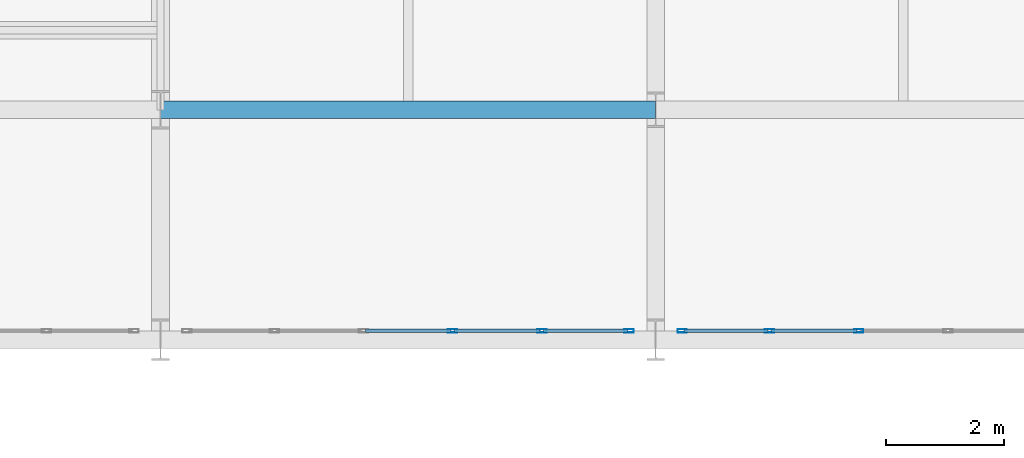
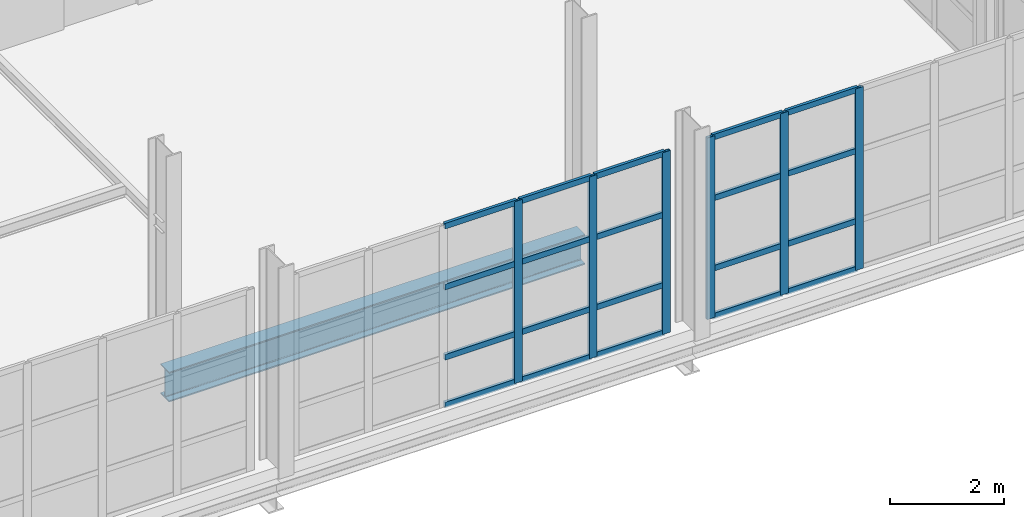
# One storey, part 14 of 130: 26 members, 1 beam, 2 elements without a shape of their own.
"""IFC4 building model written with IfcOpenShell, lengths in metres."""

from ifc_helpers import new_model, si_unit, direction, frame, origin, origin_2d, place, context, subcontext, project, spatial, hollow_rectangle, i_section, extrude, material, material_profile, profile_set, type_object, element, aggregate, save


model = new_model("IFC4")

# Units and contexts
model_context = context("Model", 3, precision=1e-05, world=origin(), true_north=direction((0.0, 1.0)))
body_context = subcontext(model_context, "Body", "Model", "MODEL_VIEW")
ifc_project = project(units=[si_unit("LENGTHUNIT", "METRE"), si_unit("AREAUNIT", "SQUARE_METRE"), si_unit("VOLUMEUNIT", "CUBIC_METRE"), si_unit("PLANEANGLEUNIT", "RADIAN"), si_unit("MASSUNIT", "GRAM", prefix="KILO")], contexts=[model_context])

# Site, building, storey
site_placement = place(None, origin())
site = spatial("IfcSite", under=ifc_project, at=site_placement, CompositionType="ELEMENT")
building_placement = place(site_placement, origin())
building = spatial("IfcBuilding", under=site, at=building_placement, Name="Veltarok Museum of Natural Sciences", CompositionType="ELEMENT")
storey_placement = place(building_placement, frame((0.0, 0.0, 12.89990234375)))
storey = spatial("IfcBuildingStorey", under=building, at=storey_placement, Name="L02", CompositionType="ELEMENT", Elevation=12.89990234375)

# Curtain wall, members
ifc_material_1 = material(Name="Low-iron triple insulated glass", Category="glass")
curtain_wall_type_1 = type_object("IfcCurtainWallType", Name="Curtain Wall System CW-BRG-S-L02-2-756x388 (Bridge South Cantilever L02 2-3 756x388cm)", PredefinedType="NOTDEFINED", material=ifc_material_1)
curtain_wall_1_placement = place(storey_placement, origin())
curtain_wall_1 = element("IfcCurtainWall", 1, at=curtain_wall_1_placement, inside=storey, type_object=curtain_wall_type_1, Name="Curtain Wall CW-BRG-S-L02-2-756x388 CW-0028", PredefinedType="NOTDEFINED")
ifc_material_2 = material(Name="Thermally broken anodised aluminium", Category="aluminium")
ifc_material_profile_1 = material_profile(ifc_material_2, hollow_rectangle(XDim=0.06005859375, YDim=0.1201171875, WallThickness=0.0048828125, at=origin_2d()), Name="CW TRANSOM 60x120x5")
ifc_profile_set_1 = profile_set([ifc_material_profile_1], Name="Thermally broken anodised aluminium")
member_type_1 = type_object("IfcMemberType", Name="Curtain Wall Horizontal Transom 60x120x5", PredefinedType="USERDEFINED", material=ifc_profile_set_1)
member_1_placement = place(storey_placement, frame((18.27392578125, 5.85009765625, 0.030029296875), z_axis=(1.0, 0.0, 0.0), x_axis=(0.0, 1.0, 0.0)))
member_1 = element("IfcMember", 2, at=member_1_placement, type_object=member_type_1, Name="CW-BRG-S-L02-2-756x388 transom 3.1", ObjectType="TRANSOM", PredefinedType="USERDEFINED", context=body_context, shape_type="SweptSolid", body=[
    extrude(hollow_rectangle(XDim=0.06005859375, YDim=0.1201171875, WallThickness=0.0048828125, at=origin_2d()), origin(), (0.0, 0.0, 1.0), 1.4521484375),
])
member_2_placement = place(storey_placement, frame((18.27392578125, 5.85009765625, 1.050048828125), z_axis=(1.0, 0.0, 0.0), x_axis=(0.0, 1.0, 0.0)))
member_2 = element("IfcMember", 3, at=member_2_placement, type_object=member_type_1, Name="CW-BRG-S-L02-2-756x388 transom 3.2", ObjectType="TRANSOM", PredefinedType="USERDEFINED", context=body_context, shape_type="SweptSolid", body=[
    extrude(hollow_rectangle(XDim=0.06005859375, YDim=0.1201171875, WallThickness=0.0048828125, at=origin_2d()), origin(), (0.0, 0.0, 1.0), 1.4521484375),
])
member_3_placement = place(storey_placement, frame((18.27392578125, 5.85009765625, 2.550048828125), z_axis=(1.0, 0.0, 0.0), x_axis=(0.0, 1.0, 0.0)))
member_3 = element("IfcMember", 4, at=member_3_placement, type_object=member_type_1, Name="CW-BRG-S-L02-2-756x388 transom 3.3", ObjectType="TRANSOM", PredefinedType="USERDEFINED", context=body_context, shape_type="SweptSolid", body=[
    extrude(hollow_rectangle(XDim=0.06005859375, YDim=0.1201171875, WallThickness=0.0048828125, at=origin_2d()), origin(), (0.0, 0.0, 1.0), 1.4521484375),
])
member_4_placement = place(storey_placement, frame((18.27392578125, 5.85009765625, 3.85009765625), z_axis=(1.0, 0.0, 0.0), x_axis=(0.0, 1.0, 0.0)))
member_4 = element("IfcMember", 5, at=member_4_placement, type_object=member_type_1, Name="CW-BRG-S-L02-2-756x388 transom 3.4", ObjectType="TRANSOM", PredefinedType="USERDEFINED", context=body_context, shape_type="SweptSolid", body=[
    extrude(hollow_rectangle(XDim=0.06005859375, YDim=0.1201171875, WallThickness=0.0048828125, at=origin_2d()), origin(), (0.0, 0.0, 1.0), 1.4521484375),
])
member_5_placement = place(storey_placement, frame((19.785888671875, 5.85009765625, 0.030029296875), z_axis=(1.0, 0.0, 0.0), x_axis=(0.0, 1.0, 0.0)))
member_5 = element("IfcMember", 6, at=member_5_placement, type_object=member_type_1, Name="CW-BRG-S-L02-2-756x388 transom 4.1", ObjectType="TRANSOM", PredefinedType="USERDEFINED", context=body_context, shape_type="SweptSolid", body=[
    extrude(hollow_rectangle(XDim=0.06005859375, YDim=0.1201171875, WallThickness=0.0048828125, at=origin_2d()), origin(), (0.0, 0.0, 1.0), 1.4521484375),
])
member_6_placement = place(storey_placement, frame((19.785888671875, 5.85009765625, 1.050048828125), z_axis=(1.0, 0.0, 0.0), x_axis=(0.0, 1.0, 0.0)))
member_6 = element("IfcMember", 7, at=member_6_placement, type_object=member_type_1, Name="CW-BRG-S-L02-2-756x388 transom 4.2", ObjectType="TRANSOM", PredefinedType="USERDEFINED", context=body_context, shape_type="SweptSolid", body=[
    extrude(hollow_rectangle(XDim=0.06005859375, YDim=0.1201171875, WallThickness=0.0048828125, at=origin_2d()), origin(), (0.0, 0.0, 1.0), 1.4521484375),
])
member_7_placement = place(storey_placement, frame((19.785888671875, 5.85009765625, 2.550048828125), z_axis=(1.0, 0.0, 0.0), x_axis=(0.0, 1.0, 0.0)))
member_7 = element("IfcMember", 8, at=member_7_placement, type_object=member_type_1, Name="CW-BRG-S-L02-2-756x388 transom 4.3", ObjectType="TRANSOM", PredefinedType="USERDEFINED", context=body_context, shape_type="SweptSolid", body=[
    extrude(hollow_rectangle(XDim=0.06005859375, YDim=0.1201171875, WallThickness=0.0048828125, at=origin_2d()), origin(), (0.0, 0.0, 1.0), 1.4521484375),
])
member_8_placement = place(storey_placement, frame((19.785888671875, 5.85009765625, 3.85009765625), z_axis=(1.0, 0.0, 0.0), x_axis=(0.0, 1.0, 0.0)))
member_8 = element("IfcMember", 9, at=member_8_placement, type_object=member_type_1, Name="CW-BRG-S-L02-2-756x388 transom 4.4", ObjectType="TRANSOM", PredefinedType="USERDEFINED", context=body_context, shape_type="SweptSolid", body=[
    extrude(hollow_rectangle(XDim=0.06005859375, YDim=0.1201171875, WallThickness=0.0048828125, at=origin_2d()), origin(), (0.0, 0.0, 1.0), 1.4521484375),
])
member_9_placement = place(storey_placement, frame((21.298095703125, 5.85009765625, 0.030029296875), z_axis=(1.0, 0.0, 0.0), x_axis=(0.0, 1.0, 0.0)))
member_9 = element("IfcMember", 10, at=member_9_placement, type_object=member_type_1, Name="CW-BRG-S-L02-2-756x388 transom 5.1", ObjectType="TRANSOM", PredefinedType="USERDEFINED", context=body_context, shape_type="SweptSolid", body=[
    extrude(hollow_rectangle(XDim=0.06005859375, YDim=0.1201171875, WallThickness=0.0048828125, at=origin_2d()), origin(), (0.0, 0.0, 1.0), 1.421875),
])
member_10_placement = place(storey_placement, frame((21.298095703125, 5.85009765625, 1.050048828125), z_axis=(1.0, 0.0, 0.0), x_axis=(0.0, 1.0, 0.0)))
member_10 = element("IfcMember", 11, at=member_10_placement, type_object=member_type_1, Name="CW-BRG-S-L02-2-756x388 transom 5.2", ObjectType="TRANSOM", PredefinedType="USERDEFINED", context=body_context, shape_type="SweptSolid", body=[
    extrude(hollow_rectangle(XDim=0.06005859375, YDim=0.1201171875, WallThickness=0.0048828125, at=origin_2d()), origin(), (0.0, 0.0, 1.0), 1.421875),
])
member_11_placement = place(storey_placement, frame((21.298095703125, 5.85009765625, 2.550048828125), z_axis=(1.0, 0.0, 0.0), x_axis=(0.0, 1.0, 0.0)))
member_11 = element("IfcMember", 12, at=member_11_placement, type_object=member_type_1, Name="CW-BRG-S-L02-2-756x388 transom 5.3", ObjectType="TRANSOM", PredefinedType="USERDEFINED", context=body_context, shape_type="SweptSolid", body=[
    extrude(hollow_rectangle(XDim=0.06005859375, YDim=0.1201171875, WallThickness=0.0048828125, at=origin_2d()), origin(), (0.0, 0.0, 1.0), 1.421875),
])
member_12_placement = place(storey_placement, frame((21.298095703125, 5.85009765625, 3.85009765625), z_axis=(1.0, 0.0, 0.0), x_axis=(0.0, 1.0, 0.0)))
member_12 = element("IfcMember", 13, at=member_12_placement, type_object=member_type_1, Name="CW-BRG-S-L02-2-756x388 transom 5.4", ObjectType="TRANSOM", PredefinedType="USERDEFINED", context=body_context, shape_type="SweptSolid", body=[
    extrude(hollow_rectangle(XDim=0.06005859375, YDim=0.1201171875, WallThickness=0.0048828125, at=origin_2d()), origin(), (0.0, 0.0, 1.0), 1.421875),
])

curtain_wall_type_2 = type_object("IfcCurtainWallType", Name="Curtain Wall System CW-BRG-S-L02-3-756x388 (Bridge South Cantilever L02 3-4 756x388cm)", PredefinedType="NOTDEFINED", material=ifc_material_1)
curtain_wall_2_placement = place(storey_placement, origin())
curtain_wall_2 = element("IfcCurtainWall", 14, at=curtain_wall_2_placement, inside=storey, type_object=curtain_wall_type_2, Name="Curtain Wall CW-BRG-S-L02-3-756x388 CW-0029", PredefinedType="NOTDEFINED")
member_13_placement = place(storey_placement, frame((23.679931640625, 5.85009765625, 0.030029296875), z_axis=(1.0, 0.0, 0.0), x_axis=(0.0, 1.0, 0.0)))
member_13 = element("IfcMember", 15, at=member_13_placement, type_object=member_type_1, Name="CW-BRG-S-L02-3-756x388 transom 1.1", ObjectType="TRANSOM", PredefinedType="USERDEFINED", context=body_context, shape_type="SweptSolid", body=[
    extrude(hollow_rectangle(XDim=0.06005859375, YDim=0.1201171875, WallThickness=0.0048828125, at=origin_2d()), origin(), (0.0, 0.0, 1.0), 1.422119140625),
])
member_14_placement = place(storey_placement, frame((23.679931640625, 5.85009765625, 1.050048828125), z_axis=(1.0, 0.0, 0.0), x_axis=(0.0, 1.0, 0.0)))
member_14 = element("IfcMember", 16, at=member_14_placement, type_object=member_type_1, Name="CW-BRG-S-L02-3-756x388 transom 1.2", ObjectType="TRANSOM", PredefinedType="USERDEFINED", context=body_context, shape_type="SweptSolid", body=[
    extrude(hollow_rectangle(XDim=0.06005859375, YDim=0.1201171875, WallThickness=0.0048828125, at=origin_2d()), origin(), (0.0, 0.0, 1.0), 1.422119140625),
])
member_15_placement = place(storey_placement, frame((23.679931640625, 5.85009765625, 2.550048828125), z_axis=(1.0, 0.0, 0.0), x_axis=(0.0, 1.0, 0.0)))
member_15 = element("IfcMember", 17, at=member_15_placement, type_object=member_type_1, Name="CW-BRG-S-L02-3-756x388 transom 1.3", ObjectType="TRANSOM", PredefinedType="USERDEFINED", context=body_context, shape_type="SweptSolid", body=[
    extrude(hollow_rectangle(XDim=0.06005859375, YDim=0.1201171875, WallThickness=0.0048828125, at=origin_2d()), origin(), (0.0, 0.0, 1.0), 1.422119140625),
])
member_16_placement = place(storey_placement, frame((23.679931640625, 5.85009765625, 3.85009765625), z_axis=(1.0, 0.0, 0.0), x_axis=(0.0, 1.0, 0.0)))
member_16 = element("IfcMember", 18, at=member_16_placement, type_object=member_type_1, Name="CW-BRG-S-L02-3-756x388 transom 1.4", ObjectType="TRANSOM", PredefinedType="USERDEFINED", context=body_context, shape_type="SweptSolid", body=[
    extrude(hollow_rectangle(XDim=0.06005859375, YDim=0.1201171875, WallThickness=0.0048828125, at=origin_2d()), origin(), (0.0, 0.0, 1.0), 1.422119140625),
])
member_17_placement = place(storey_placement, frame((25.162109375, 5.85009765625, 0.030029296875), z_axis=(1.0, 0.0, 0.0), x_axis=(0.0, 1.0, 0.0)))
member_17 = element("IfcMember", 19, at=member_17_placement, type_object=member_type_1, Name="CW-BRG-S-L02-3-756x388 transom 2.1", ObjectType="TRANSOM", PredefinedType="USERDEFINED", context=body_context, shape_type="SweptSolid", body=[
    extrude(hollow_rectangle(XDim=0.06005859375, YDim=0.1201171875, WallThickness=0.0048828125, at=origin_2d()), origin(), (0.0, 0.0, 1.0), 1.451904296875),
])
member_18_placement = place(storey_placement, frame((25.162109375, 5.85009765625, 1.050048828125), z_axis=(1.0, 0.0, 0.0), x_axis=(0.0, 1.0, 0.0)))
member_18 = element("IfcMember", 20, at=member_18_placement, type_object=member_type_1, Name="CW-BRG-S-L02-3-756x388 transom 2.2", ObjectType="TRANSOM", PredefinedType="USERDEFINED", context=body_context, shape_type="SweptSolid", body=[
    extrude(hollow_rectangle(XDim=0.06005859375, YDim=0.1201171875, WallThickness=0.0048828125, at=origin_2d()), origin(), (0.0, 0.0, 1.0), 1.451904296875),
])
member_19_placement = place(storey_placement, frame((25.162109375, 5.85009765625, 2.550048828125), z_axis=(1.0, 0.0, 0.0), x_axis=(0.0, 1.0, 0.0)))
member_19 = element("IfcMember", 21, at=member_19_placement, type_object=member_type_1, Name="CW-BRG-S-L02-3-756x388 transom 2.3", ObjectType="TRANSOM", PredefinedType="USERDEFINED", context=body_context, shape_type="SweptSolid", body=[
    extrude(hollow_rectangle(XDim=0.06005859375, YDim=0.1201171875, WallThickness=0.0048828125, at=origin_2d()), origin(), (0.0, 0.0, 1.0), 1.451904296875),
])
member_20_placement = place(storey_placement, frame((25.162109375, 5.85009765625, 3.85009765625), z_axis=(1.0, 0.0, 0.0), x_axis=(0.0, 1.0, 0.0)))
member_20 = element("IfcMember", 22, at=member_20_placement, type_object=member_type_1, Name="CW-BRG-S-L02-3-756x388 transom 2.4", ObjectType="TRANSOM", PredefinedType="USERDEFINED", context=body_context, shape_type="SweptSolid", body=[
    extrude(hollow_rectangle(XDim=0.06005859375, YDim=0.1201171875, WallThickness=0.0048828125, at=origin_2d()), origin(), (0.0, 0.0, 1.0), 1.451904296875),
])

# Member
ifc_material_profile_2 = material_profile(ifc_material_2, hollow_rectangle(XDim=0.06005859375, YDim=0.159912109375, WallThickness=0.0048828125, at=origin_2d()), Name="CW MULLION 60x160x5")
ifc_profile_set_2 = profile_set([ifc_material_profile_2], Name="Thermally broken anodised aluminium")
member_type_2 = type_object("IfcMemberType", Name="Curtain Wall Vertical Mullion 60x160x5", PredefinedType="MULLION", material=ifc_profile_set_2)
member_21_placement = place(storey_placement, frame((19.756103515625, 5.85009765625, 0.0), z_axis=(0.0, 0.0, 1.0), x_axis=(0.0, 1.0, 0.0)))
member_21 = element("IfcMember", 23, at=member_21_placement, type_object=member_type_2, Name="CW-BRG-S-L02-2-756x388 mullion 4", PredefinedType="MULLION", context=body_context, shape_type="SweptSolid", body=[
    extrude(hollow_rectangle(XDim=0.06005859375, YDim=0.159912109375, WallThickness=0.0048828125, at=origin_2d()), origin(), (0.0, 0.0, 1.0), 3.880126953125),
])

member_22_placement = place(storey_placement, frame((21.26806640625, 5.85009765625, 0.0), z_axis=(0.0, 0.0, 1.0), x_axis=(0.0, 1.0, 0.0)))
member_22 = element("IfcMember", 24, at=member_22_placement, type_object=member_type_2, Name="CW-BRG-S-L02-2-756x388 mullion 5", PredefinedType="MULLION", context=body_context, shape_type="SweptSolid", body=[
    extrude(hollow_rectangle(XDim=0.06005859375, YDim=0.159912109375, WallThickness=0.0048828125, at=origin_2d()), origin(), (0.0, 0.0, 1.0), 3.880126953125),
])

member_23_placement = place(storey_placement, frame((22.75, 5.85009765625, 0.0), z_axis=(0.0, 0.0, 1.0), x_axis=(0.0, 1.0, 0.0)))
member_23 = element("IfcMember", 25, at=member_23_placement, type_object=member_type_2, Name="CW-BRG-S-L02-2-756x388 mullion 6", PredefinedType="MULLION", context=body_context, shape_type="SweptSolid", body=[
    extrude(hollow_rectangle(XDim=0.06005859375, YDim=0.159912109375, WallThickness=0.0048828125, at=origin_2d()), origin(), (0.0, 0.0, 1.0), 3.880126953125),
])

aggregate(curtain_wall_1, [member_21, member_22, member_23, member_1, member_2, member_3, member_4, member_5, member_6, member_7, member_8, member_9, member_10, member_11, member_12])

member_24_placement = place(storey_placement, frame((23.64990234375, 5.85009765625, 0.0), z_axis=(0.0, 0.0, 1.0), x_axis=(0.0, 1.0, 0.0)))
member_24 = element("IfcMember", 26, at=member_24_placement, type_object=member_type_2, Name="CW-BRG-S-L02-3-756x388 mullion 1", PredefinedType="MULLION", context=body_context, shape_type="SweptSolid", body=[
    extrude(hollow_rectangle(XDim=0.06005859375, YDim=0.159912109375, WallThickness=0.0048828125, at=origin_2d()), origin(), (0.0, 0.0, 1.0), 3.880126953125),
])

member_25_placement = place(storey_placement, frame((25.132080078125, 5.85009765625, 0.0), z_axis=(0.0, 0.0, 1.0), x_axis=(0.0, 1.0, 0.0)))
member_25 = element("IfcMember", 27, at=member_25_placement, type_object=member_type_2, Name="CW-BRG-S-L02-3-756x388 mullion 2", PredefinedType="MULLION", context=body_context, shape_type="SweptSolid", body=[
    extrude(hollow_rectangle(XDim=0.06005859375, YDim=0.159912109375, WallThickness=0.0048828125, at=origin_2d()), origin(), (0.0, 0.0, 1.0), 3.880126953125),
])

member_26_placement = place(storey_placement, frame((26.64404296875, 5.85009765625, 0.0), z_axis=(0.0, 0.0, 1.0), x_axis=(0.0, 1.0, 0.0)))
member_26 = element("IfcMember", 28, at=member_26_placement, type_object=member_type_2, Name="CW-BRG-S-L02-3-756x388 mullion 3", PredefinedType="MULLION", context=body_context, shape_type="SweptSolid", body=[
    extrude(hollow_rectangle(XDim=0.06005859375, YDim=0.159912109375, WallThickness=0.0048828125, at=origin_2d()), origin(), (0.0, 0.0, 1.0), 3.880126953125),
])

aggregate(curtain_wall_2, [member_24, member_25, member_26, member_13, member_14, member_15, member_16, member_17, member_18, member_19, member_20])

# Beam
ifc_material_3 = material(Name="Steel S355J2", Category="steel")
ifc_material_profile_3 = material_profile(ifc_material_3, i_section(OverallWidth=0.300048828125, OverallDepth=0.639892578125, WebThickness=0.013427734375, FlangeThickness=0.02587890625, FilletRadius=0.027099609375, at=origin_2d()), Name="HEA 650")
ifc_profile_set_3 = profile_set([ifc_material_profile_3], Name="Steel S355J2")
beam_type = type_object("IfcBeamType", Name="Heavy Exhibition Girder HEA 650", PredefinedType="BEAM", material=ifc_profile_set_3)
beam_placement = place(storey_placement, frame((14.800048828125, 9.60009765625, -0.56982421875), z_axis=(1.0, 0.0, 0.0), x_axis=(0.0, 1.0, 0.0)))
element("IfcBeam", 29, at=beam_placement, inside=storey, type_object=beam_type, Name="Beam BM-G08 L02 2-3/B", PredefinedType="BEAM", context=body_context, shape_type="SweptSolid", body=[
    extrude(i_section(OverallWidth=0.300048828125, OverallDepth=0.639892578125, WebThickness=0.013427734375, FlangeThickness=0.02587890625, FilletRadius=0.027099609375, at=origin_2d()), origin(), (0.0, 0.0, 1.0), 8.39990234375),
])

save(model, "model.ifc")
